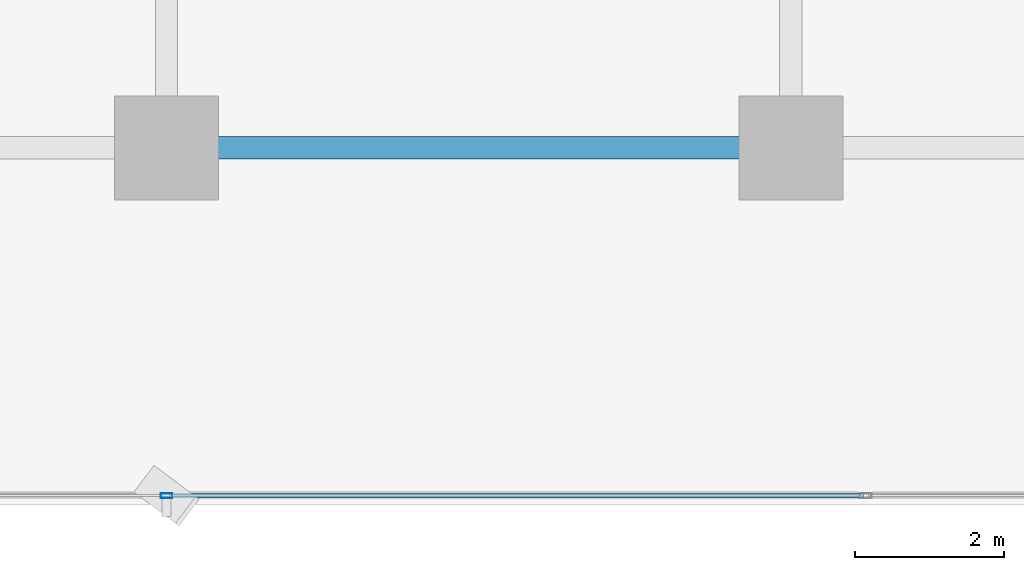
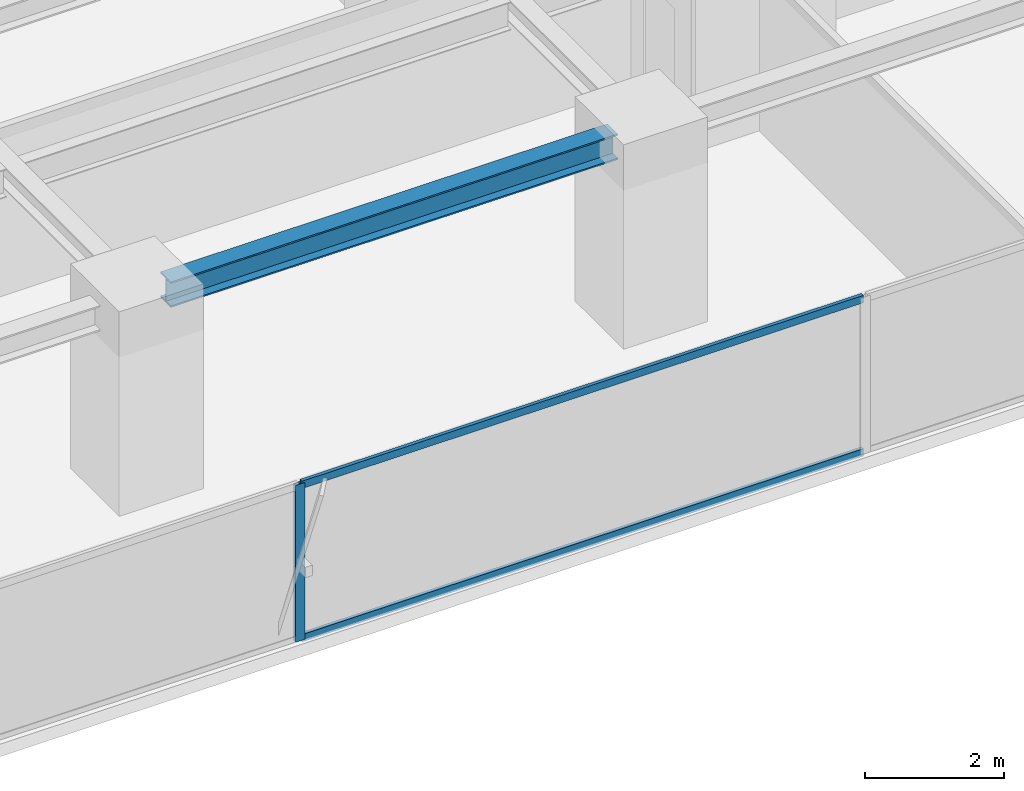
# One storey, part 5 of 28: 3 members, 1 beam, 1 element without a shape of its own.
"""IFC4 building model written with IfcOpenShell, lengths in metres."""

from ifc_helpers import new_model, si_unit, direction, frame, origin, origin_2d, place, context, subcontext, project, spatial, hollow_rectangle, i_section, extrude, source, transform, mapped, material, layer, layer_set, material_profile, profile_set, type_object, element, aggregate, save


model = new_model("IFC4")

# Units and contexts
model_context = context("Model", 3, precision=1e-05, world=origin(), true_north=direction((0.0, 1.0)))
body_context = subcontext(model_context, "Body", "Model", "MODEL_VIEW")
ifc_project = project(units=[si_unit("LENGTHUNIT", "METRE"), si_unit("AREAUNIT", "SQUARE_METRE"), si_unit("VOLUMEUNIT", "CUBIC_METRE"), si_unit("PLANEANGLEUNIT", "RADIAN"), si_unit("MASSUNIT", "GRAM", prefix="KILO")], contexts=[model_context])

# Site, building, storey
site_placement = place(None, origin())
site = spatial("IfcSite", under=ifc_project, at=site_placement, CompositionType="ELEMENT")
building_placement = place(site_placement, origin())
building = spatial("IfcBuilding", under=site, at=building_placement, Name="Sumidabori Civic Tower", CompositionType="ELEMENT")
storey_placement = place(building_placement, frame((0.0, 0.0, 178.39990234375)))
storey = spatial("IfcBuildingStorey", under=building, at=storey_placement, Name="L46", CompositionType="ELEMENT", Elevation=178.39990234375)

# Beam
ifc_material_1 = material(Name="Steel SN490", Category="steel")
ifc_material_profile_1 = material_profile(ifc_material_1, i_section(OverallWidth=0.300048828125, OverallDepth=0.449951171875, WebThickness=0.013916015625, FlangeThickness=0.02587890625, at=origin_2d()), Name="HE 450 B")
ifc_profile_set_1 = profile_set([ifc_material_profile_1], Name="Steel SN490")
beam_type = type_object("IfcBeamType", Name="BM-GIRD-450", PredefinedType="BEAM", material=ifc_profile_set_1)
shared_shape_1 = source(origin(), body_context, "Body", "SweptSolid", [
    extrude(i_section(OverallWidth=0.300048828125, OverallDepth=0.449951171875, WebThickness=0.013916015625, FlangeThickness=0.02587890625, at=origin_2d()), origin(), (0.0, 0.0, 1.0), 7.43994140625),
])
beam_placement = place(storey_placement, frame((0.47998046875, -18.0, 3.155029296875), z_axis=(1.0, 0.0, 0.0), x_axis=(0.0, 1.0, 0.0)))
element("IfcBeam", 1, at=beam_placement, inside=storey, type_object=beam_type, Name="Primary Girder L46 GX-03", PredefinedType="BEAM", context=body_context, shape_type="MappedRepresentation", body=[
    mapped(shared_shape_1, transform((0.0, 0.0, 0.0), x_axis=(1.0, 0.0, 0.0), y_axis=(0.0, 1.0, 0.0), z_axis=(0.0, 0.0, 1.0), scale=1.0)),
])

# Curtain wall, members
ifc_material_2 = material(Name="Anodised Bronze Aluminium AW-6063-T6", Category="aluminium")
ifc_layer = layer(ifc_material_2, 0.179931640625, Name="Anodised Bronze Aluminium AW-6063-T6")
ifc_layer_set = layer_set([ifc_layer], Name="Anodised Bronze Aluminium AW-6063-T6")
curtain_wall_type = type_object("IfcCurtainWallType", Name="CW-SYS-3", PredefinedType="NOTDEFINED", material=ifc_layer_set)
curtain_wall_placement = place(storey_placement, origin())
curtain_wall = element("IfcCurtainWall", 2, at=curtain_wall_placement, inside=storey, type_object=curtain_wall_type, Name="Curtain Wall CW:L46:R01", PredefinedType="NOTDEFINED")
ifc_material_profile_2 = material_profile(ifc_material_2, hollow_rectangle(XDim=0.06494140625, YDim=0.159912109375, WallThickness=0.0048828125, at=origin_2d()), Name="ALU MULLION 160x65")
ifc_profile_set_2 = profile_set([ifc_material_profile_2], Name="Anodised Bronze Aluminium AW-6063-T6")
member_type_1 = type_object("IfcMemberType", Name="CW-MUL-160", PredefinedType="MULLION", material=ifc_profile_set_2)
shared_shape_2 = source(origin(), body_context, "Body", "SweptSolid", [
    extrude(hollow_rectangle(XDim=0.06494140625, YDim=0.159912109375, WallThickness=0.0048828125, at=origin_2d()), origin(), (0.0, 0.0, 1.0), 2.760009765625),
])
member_1_placement = place(storey_placement, frame((0.0, -22.679931640625, 0.0), z_axis=(0.0, 0.0, 1.0), x_axis=(0.0, 1.0, 0.0)))
member_1 = element("IfcMember", 3, at=member_1_placement, type_object=member_type_1, Name="CW-3 mullion 3", PredefinedType="MULLION", context=body_context, shape_type="MappedRepresentation", body=[
    mapped(shared_shape_2, transform((0.0, 0.0, 0.0), x_axis=(1.0, 0.0, 0.0), y_axis=(0.0, 1.0, 0.0), z_axis=(0.0, 0.0, 1.0), scale=1.0)),
])
ifc_material_profile_3 = material_profile(ifc_material_2, hollow_rectangle(XDim=0.06005859375, YDim=0.1298828125, WallThickness=0.0048828125, at=origin_2d()), Name="ALU TRANSOM 130x60")
ifc_profile_set_3 = profile_set([ifc_material_profile_3], Name="Anodised Bronze Aluminium AW-6063-T6")
member_type_2 = type_object("IfcMemberType", Name="CW-TRN-130", PredefinedType="USERDEFINED", material=ifc_profile_set_3)
shared_shape_3 = source(origin(), body_context, "Body", "SweptSolid", [
    extrude(hollow_rectangle(XDim=0.06005859375, YDim=0.1298828125, WallThickness=0.0048828125, at=origin_2d()), origin(), (0.0, 0.0, 1.0), 9.344970703125),
])
member_2_placement = place(storey_placement, frame((0.032470703125, -22.679931640625, 0.030029296875), z_axis=(1.0, 0.0, 0.0), x_axis=(0.0, 1.0, 0.0)))
member_2 = element("IfcMember", 4, at=member_2_placement, type_object=member_type_2, Name="CW-3 transom 3.1", ObjectType="TRANSOM", PredefinedType="USERDEFINED", context=body_context, shape_type="MappedRepresentation", body=[
    mapped(shared_shape_3, transform((0.0, 0.0, 0.0), x_axis=(1.0, 0.0, 0.0), y_axis=(0.0, 1.0, 0.0), z_axis=(0.0, 0.0, 1.0), scale=1.0)),
])
member_3_placement = place(storey_placement, frame((0.032470703125, -22.679931640625, 2.72998046875), z_axis=(1.0, 0.0, 0.0), x_axis=(0.0, 1.0, 0.0)))
member_3 = element("IfcMember", 5, at=member_3_placement, type_object=member_type_2, Name="CW-3 transom 3.2", ObjectType="TRANSOM", PredefinedType="USERDEFINED", context=body_context, shape_type="MappedRepresentation", body=[
    mapped(shared_shape_3, transform((0.0, 0.0, 0.0), x_axis=(1.0, 0.0, 0.0), y_axis=(0.0, 1.0, 0.0), z_axis=(0.0, 0.0, 1.0), scale=1.0)),
])
aggregate(curtain_wall, [member_1, member_2, member_3])

save(model, "model.ifc")
